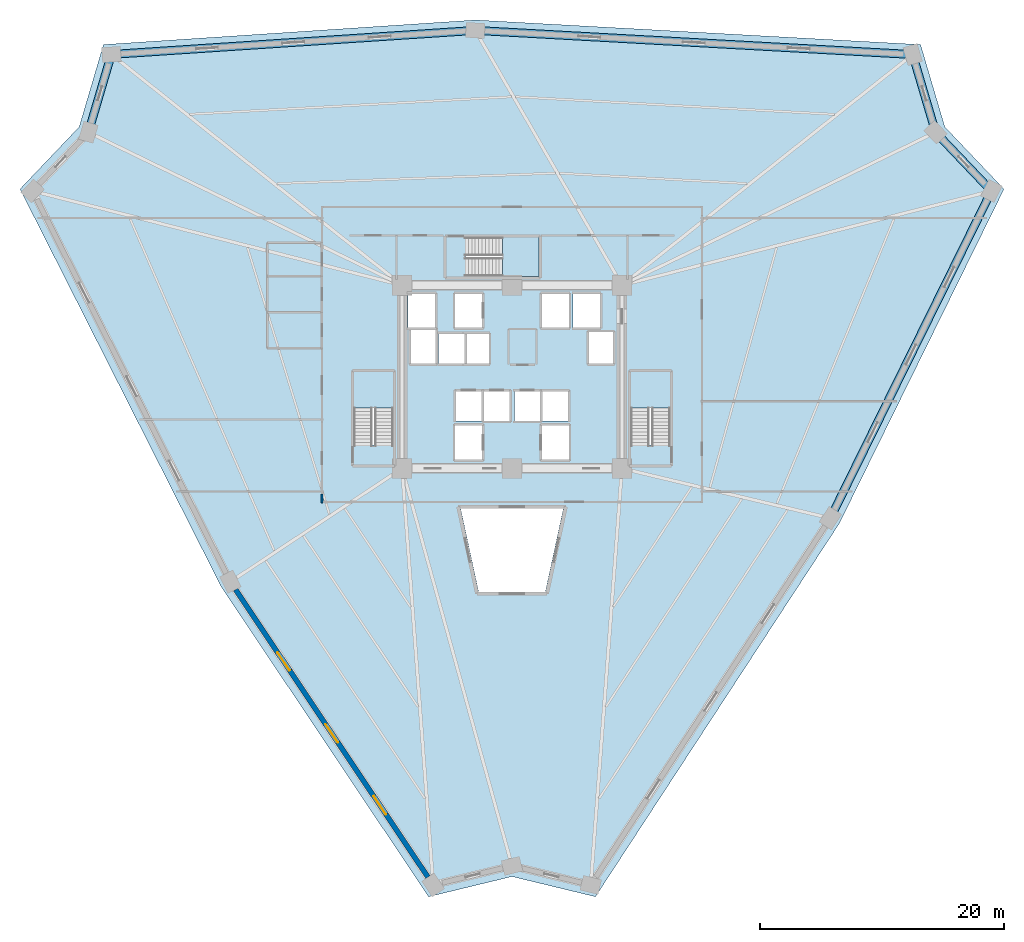
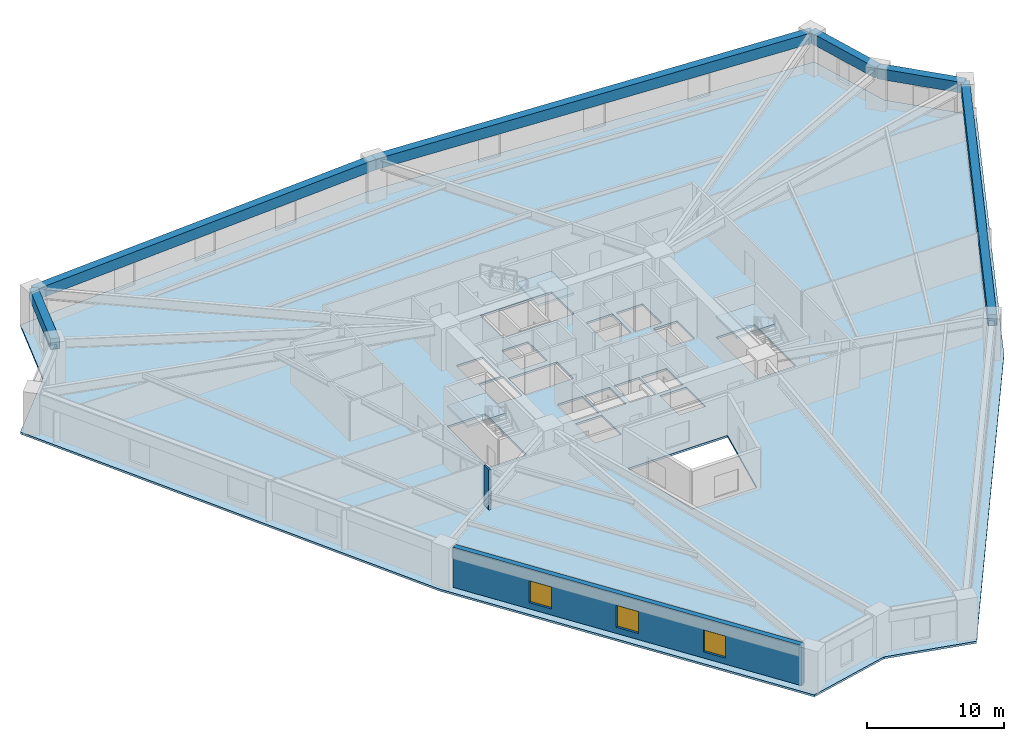
# One storey, part 2 of 8: 6 beams, 4 slabs, 3 windows, 2 walls, 3 openings, 3 elements without a shape of their own.
"""IFC4 building model written with IfcOpenShell, lengths in metres."""

from ifc_helpers import new_model, si_unit, direction, frame, frame_2d, origin, origin_2d, place, context, subcontext, project, spatial, polyline, rectangle, outline, extrude, source, transform, mapped, material, layer, layer_set, material_profile, profile_set, type_object, element, fill, aggregate, save


model = new_model("IFC4")

# Units and contexts
model_context = context("Model", 3, precision=1e-05, world=origin(), true_north=direction((0.0, 1.0)))
body_context = subcontext(model_context, "Body", "Model", "MODEL_VIEW")
ifc_project = project(units=[si_unit("LENGTHUNIT", "METRE"), si_unit("AREAUNIT", "SQUARE_METRE"), si_unit("VOLUMEUNIT", "CUBIC_METRE"), si_unit("PLANEANGLEUNIT", "RADIAN"), si_unit("MASSUNIT", "GRAM", prefix="KILO")], contexts=[model_context])

# Site, building, storey
site_placement = place(None, origin())
site = spatial("IfcSite", under=ifc_project, at=site_placement, CompositionType="ELEMENT")
building_placement = place(site_placement, origin())
building = spatial("IfcBuilding", under=site, at=building_placement, Name="Liaohun Quay Tower", CompositionType="ELEMENT")
storey_placement = place(building_placement, frame((0.0, 0.0, 32.25)))
storey = spatial("IfcBuildingStorey", under=building, at=storey_placement, Name="L08", CompositionType="ELEMENT", Elevation=32.25)

# Beams
ifc_material_1 = material(Name="Precast concrete C55", Category="concrete")
ifc_material_profile = material_profile(ifc_material_1, rectangle(XDim=0.64990234375, YDim=0.949951171875, at=origin_2d()), Name="RC650x950")
ifc_profile_set = profile_set([ifc_material_profile], Name="Precast concrete C55")
beam_type = type_object("IfcBeamType", Name="BM-SPD-Z1", PredefinedType="SPANDREL", material=ifc_profile_set)
shared_shape_1 = source(origin(), body_context, "Body", "SweptSolid", [
    extrude(rectangle(XDim=0.64990234375, YDim=0.949951171875, at=origin_2d()), origin(), (0.0, 0.0, 1.0), 6.64013671875),
])
beam_1_placement = place(storey_placement, frame((25.321044921875, 74.02197265625, 3.094970703125), z_axis=(0.282811203654, 0.959175595544, 0.0), x_axis=(-0.959175595544, 0.282811203654, 0.0)))
element("IfcBeam", 1, at=beam_1_placement, inside=storey, type_object=beam_type, Name="L08 Precast Spandrel Beam PC04-PC05", PredefinedType="SPANDREL", context=body_context, shape_type="MappedRepresentation", body=[
    mapped(shared_shape_1, transform((0.0, 0.0, 0.0), x_axis=(1.0, 0.0, 0.0), y_axis=(0.0, 1.0, 0.0), z_axis=(0.0, 0.0, 1.0), scale=1.0)),
])
shared_shape_2 = source(origin(), body_context, "Body", "SweptSolid", [
    extrude(rectangle(XDim=0.64990234375, YDim=0.949951171875, at=origin_2d()), origin(), (0.0, 0.0, 1.0), 29.861083984375),
])
beam_2_placement = place(storey_placement, frame((27.198974609375, 80.39111328125, 3.094970703125), z_axis=(0.997823697667, 0.065938367993, 0.0), x_axis=(-0.065938367993, 0.997823697667, 0.0)))
element("IfcBeam", 2, at=beam_2_placement, inside=storey, type_object=beam_type, Name="L08 Precast Spandrel Beam PC05-PC06", PredefinedType="SPANDREL", context=body_context, shape_type="MappedRepresentation", body=[
    mapped(shared_shape_2, transform((0.0, 0.0, 0.0), x_axis=(1.0, 0.0, 0.0), y_axis=(0.0, 1.0, 0.0), z_axis=(0.0, 0.0, 1.0), scale=1.0)),
])
shared_shape_3 = source(origin(), body_context, "Body", "SweptSolid", [
    extrude(rectangle(XDim=0.64990234375, YDim=0.949951171875, at=origin_2d()), origin(), (0.0, 0.0, 1.0), 35.8623046875),
])
beam_3_placement = place(storey_placement, frame((56.9951171875, 82.360107421875, 3.094970703125), z_axis=(0.998480750291, -0.055101645152, 0.0), x_axis=(0.055101645152, 0.998480750291, 0.0)))
element("IfcBeam", 3, at=beam_3_placement, inside=storey, type_object=beam_type, Name="L08 Precast Spandrel Beam PC06-PC07", PredefinedType="SPANDREL", context=body_context, shape_type="MappedRepresentation", body=[
    mapped(shared_shape_3, transform((0.0, 0.0, 0.0), x_axis=(1.0, 0.0, 0.0), y_axis=(0.0, 1.0, 0.0), z_axis=(0.0, 0.0, 1.0), scale=1.0)),
])
shared_shape_4 = source(origin(), body_context, "Body", "SweptSolid", [
    extrude(rectangle(XDim=0.64990234375, YDim=0.949951171875, at=origin_2d()), origin(), (0.0, 0.0, 1.0), 6.6328125),
])
beam_4_placement = place(storey_placement, frame((92.802978515625, 80.384033203125, 3.094970703125), z_axis=(0.282829848873, -0.959170097838, 0.0), x_axis=(0.959170097838, 0.282829848873, 0.0)))
element("IfcBeam", 4, at=beam_4_placement, inside=storey, type_object=beam_type, Name="L08 Precast Spandrel Beam PC07-PC08", PredefinedType="SPANDREL", context=body_context, shape_type="MappedRepresentation", body=[
    mapped(shared_shape_4, transform((0.0, 0.0, 0.0), x_axis=(1.0, 0.0, 0.0), y_axis=(0.0, 1.0, 0.0), z_axis=(0.0, 0.0, 1.0), scale=1.0)),
])
shared_shape_5 = source(origin(), body_context, "Body", "SweptSolid", [
    extrude(rectangle(XDim=0.64990234375, YDim=0.949951171875, at=origin_2d()), origin(), (0.0, 0.0, 1.0), 6.639892578125),
])
beam_5_placement = place(storey_placement, frame((94.678955078125, 74.02197265625, 3.094970703125), z_axis=(0.689350289248, -0.724428173606, 0.0), x_axis=(0.724428173606, 0.689350289248, 0.0)))
element("IfcBeam", 5, at=beam_5_placement, inside=storey, type_object=beam_type, Name="L08 Precast Spandrel Beam PC08-PC09", PredefinedType="SPANDREL", context=body_context, shape_type="MappedRepresentation", body=[
    mapped(shared_shape_5, transform((0.0, 0.0, 0.0), x_axis=(1.0, 0.0, 0.0), y_axis=(0.0, 1.0, 0.0), z_axis=(0.0, 0.0, 1.0), scale=1.0)),
])
shared_shape_6 = source(origin(), body_context, "Body", "SweptSolid", [
    extrude(rectangle(XDim=0.64990234375, YDim=0.949951171875, at=origin_2d()), origin(), (0.0, 0.0, 1.0), 29.86083984375),
])
beam_6_placement = place(storey_placement, frame((99.256103515625, 69.2119140625, 3.094970703125), z_axis=(-0.441786381035, -0.897120278186, 0.0), x_axis=(0.897120278186, -0.441786381035, 0.0)))
element("IfcBeam", 6, at=beam_6_placement, inside=storey, type_object=beam_type, Name="L08 Precast Spandrel Beam PC09-PC10", PredefinedType="SPANDREL", context=body_context, shape_type="MappedRepresentation", body=[
    mapped(shared_shape_6, transform((0.0, 0.0, 0.0), x_axis=(1.0, 0.0, 0.0), y_axis=(0.0, 1.0, 0.0), z_axis=(0.0, 0.0, 1.0), scale=1.0)),
])

# Stair, slab
ifc_material_2 = material(Name="Concrete C45", Category="concrete")
stair_type = type_object("IfcStairType", Name="STR-CORE-OFF", PredefinedType="HALF_TURN_STAIR", material=ifc_material_2)
stair_1_placement = place(storey_placement, origin())
stair_1 = element("IfcStair", 7, at=stair_1_placement, inside=storey, type_object=stair_type, Name="L08 Smokeproof Core Exit Stair ST-1", PredefinedType="HALF_TURN_STAIR")
ifc_layer_1 = layer(ifc_material_2, 0.199951171875, Name="Concrete C45", Category="concrete")
ifc_layer_set_1 = layer_set([ifc_layer_1], Name="Concrete C45")
slab_type_1 = type_object("IfcSlabType", Name="SLB-LND-200", PredefinedType="LANDING", material=ifc_layer_set_1)
slab_1_placement = place(storey_placement, frame((0.0, 0.0, 1.675048828125)))
slab_1 = element("IfcSlab", 8, at=slab_1_placement, type_object=slab_type_1, Name="ST-1 landing 1", PredefinedType="LANDING", context=body_context, shape_type="SweptSolid", body=[
    extrude(outline(polyline([(50.280029296875, 51.429931640625), (50.280029296875, 54.419921875), (47.0400390625, 54.419921875), (47.0400390625, 51.429931640625), (50.280029296875, 51.429931640625)])), origin(), (0.0, 0.0, 1.0), 0.199951171875),
])
aggregate(stair_1, [slab_1])

stair_2_placement = place(storey_placement, origin())
stair_2 = element("IfcStair", 9, at=stair_2_placement, inside=storey, type_object=stair_type, Name="L08 Smokeproof Core Exit Stair ST-2", PredefinedType="HALF_TURN_STAIR")
slab_2_placement = place(storey_placement, frame((0.0, 0.0, 1.675048828125)))
slab_2 = element("IfcSlab", 10, at=slab_2_placement, type_object=slab_type_1, Name="ST-2 landing 1", PredefinedType="LANDING", context=body_context, shape_type="SweptSolid", body=[
    extrude(outline(polyline([(72.9599609375, 51.429931640625), (72.9599609375, 54.419921875), (69.719970703125, 54.419921875), (69.719970703125, 51.429931640625), (72.9599609375, 51.429931640625)])), origin(), (0.0, 0.0, 1.0), 0.199951171875),
])
aggregate(stair_2, [slab_2])

stair_3_placement = place(storey_placement, origin())
stair_3 = element("IfcStair", 11, at=stair_3_placement, inside=storey, type_object=stair_type, Name="L08 Smokeproof Core Exit Stair ST-3", PredefinedType="HALF_TURN_STAIR")
slab_3_placement = place(storey_placement, frame((0.0, 0.0, 1.675048828125)))
slab_3 = element("IfcSlab", 12, at=slab_3_placement, type_object=slab_type_1, Name="ST-3 landing 1", PredefinedType="LANDING", context=body_context, shape_type="SweptSolid", body=[
    extrude(outline(polyline([(59.22998046875, 62.199951171875), (62.219970703125, 62.199951171875), (62.219970703125, 65.43994140625), (59.22998046875, 65.43994140625), (59.22998046875, 62.199951171875)])), origin(), (0.0, 0.0, 1.0), 0.199951171875),
])
aggregate(stair_3, [slab_3])

# Slab
ifc_layer_2 = layer(ifc_material_2, 0.179931640625, Name="Concrete C45", Category="concrete")
ifc_layer_set_2 = layer_set([ifc_layer_2], Name="Concrete C45")
slab_type_2 = type_object("IfcSlabType", Name="SLB-OFF-180", PredefinedType="FLOOR", material=ifc_layer_set_2)
slab_4_placement = place(storey_placement, frame((0.0, 0.0, -0.179931640625)))
element("IfcSlab", 13, at=slab_4_placement, inside=storey, type_object=slab_type_2, Name="L08 Structural Floor Slab", PredefinedType="FLOOR", context=body_context, shape_type="SweptSolid", body=[
    extrude(outline(polyline([(53.1689453125, 11.431884765625), (60.0, 13.08203125), (66.8310546875, 11.431884765625), (86.803955078125, 42.0009765625), (100.281005859375, 69.367919921875), (95.43603515625, 74.458984375), (93.448974609375, 81.199951171875), (56.989990234375, 83.2119140625), (26.551025390625, 81.199951171875), (24.56396484375, 74.458984375), (19.718994140625, 69.367919921875), (36.2060546875, 36.787109375), (53.1689453125, 11.431884765625)]), holes=[polyline([(57.56005859375, 47.2099609375), (57.56005859375, 50.030029296875), (55.340087890625, 50.030029296875), (55.340087890625, 47.2099609375), (57.56005859375, 47.2099609375)]), polyline([(50.280029296875, 54.419921875), (47.0400390625, 54.419921875), (47.0400390625, 48.409912109375), (50.280029296875, 48.409912109375), (50.280029296875, 54.419921875)]), polyline([(57.510009765625, 50.389892578125), (57.510009765625, 52.81005859375), (55.389892578125, 52.81005859375), (55.389892578125, 50.389892578125), (57.510009765625, 50.389892578125)]), polyline([(59.81005859375, 50.389892578125), (59.81005859375, 52.81005859375), (57.68994140625, 52.81005859375), (57.68994140625, 50.389892578125), (59.81005859375, 50.389892578125)]), polyline([(58.110107421875, 57.510009765625), (53.989990234375, 57.510009765625), (53.989990234375, 55.090087890625), (58.110107421875, 55.090087890625), (58.110107421875, 57.510009765625)]), polyline([(53.760009765625, 55.090087890625), (53.760009765625, 57.909912109375), (51.7099609375, 57.909912109375), (51.7099609375, 55.090087890625), (53.760009765625, 55.090087890625)]), polyline([(51.489990234375, 58.0400390625), (53.7099609375, 58.0400390625), (53.7099609375, 60.7900390625), (51.489990234375, 60.7900390625), (51.489990234375, 58.0400390625)]), polyline([(55.340087890625, 58.0400390625), (57.56005859375, 58.0400390625), (57.56005859375, 60.7900390625), (55.340087890625, 60.7900390625), (55.340087890625, 58.0400390625)]), polyline([(62.72998046875, 36.39990234375), (64.199951171875, 43.199951171875), (55.800048828125, 43.199951171875), (57.27001953125, 36.39990234375), (62.72998046875, 36.39990234375)]), polyline([(64.659912109375, 47.2099609375), (64.659912109375, 50.030029296875), (62.43994140625, 50.030029296875), (62.43994140625, 47.2099609375), (64.659912109375, 47.2099609375)]), polyline([(72.9599609375, 54.419921875), (69.719970703125, 54.419921875), (69.719970703125, 48.409912109375), (72.9599609375, 48.409912109375), (72.9599609375, 54.419921875)]), polyline([(62.31005859375, 50.389892578125), (62.31005859375, 52.81005859375), (60.18994140625, 52.81005859375), (60.18994140625, 50.389892578125), (62.31005859375, 50.389892578125)]), polyline([(64.610107421875, 50.389892578125), (64.610107421875, 52.81005859375), (62.489990234375, 52.81005859375), (62.489990234375, 50.389892578125), (64.610107421875, 50.389892578125)]), polyline([(68.2900390625, 55.090087890625), (68.2900390625, 57.659912109375), (66.2900390625, 57.659912109375), (66.2900390625, 55.090087890625), (68.2900390625, 55.090087890625)]), polyline([(64.659912109375, 58.0400390625), (64.659912109375, 60.7900390625), (62.43994140625, 60.7900390625), (62.43994140625, 58.0400390625), (64.659912109375, 58.0400390625)]), polyline([(64.989990234375, 58.0400390625), (67.2099609375, 58.0400390625), (67.2099609375, 60.7900390625), (64.989990234375, 60.7900390625), (64.989990234375, 58.0400390625)]), polyline([(56.2099609375, 62.199951171875), (62.219970703125, 62.199951171875), (62.219970703125, 65.43994140625), (56.2099609375, 65.43994140625), (56.2099609375, 62.199951171875)])]), origin(), (0.0, 0.0, 1.0), 0.179931640625),
])

# Wall, openings, windows
ifc_material_3 = material(Name="Precast concrete C50 insulated sandwich", Category="concrete")
ifc_layer_3 = layer(ifc_material_3, 0.419921875, Name="Precast concrete C50 insulated sandwich", Category="concrete")
ifc_layer_set_3 = layer_set([ifc_layer_3], Name="Precast concrete C50 insulated sandwich")
wall_type_1 = type_object("IfcWallType", Name="WAL-EXT-Z12", PredefinedType="SOLIDWALL", material=ifc_layer_set_3)
wall_1_placement = place(storey_placement, frame((37.365966796875, 36.5810546875, 0.0), z_axis=(0.0, 0.0, 1.0), x_axis=(0.556077484232, -0.831130453979, 0.0)))
wall_1 = element("IfcWall", 14, at=wall_1_placement, inside=storey, type_object=wall_type_1, Name="L08 Brutalist Precast Pier Wall 11", PredefinedType="SOLIDWALL", context=body_context, shape_type="SweptSolid", body=[
    extrude(rectangle(XDim=28.33251953125, YDim=0.419921875, at=frame_2d((14.166259765625, 0.0))), origin(), (0.0, 0.0, 1.0), 3.570068359375),
])
shared_shape_7 = source(origin(), body_context, "Body", "SweptSolid", [
    extrude(rectangle(XDim=1.800048828125, YDim=1.949951171875, at=frame_2d((0.89990234375, 0.97509765625))), frame((0.0, 0.219970703125, 0.0), z_axis=(0.0, -1.0, 0.0), x_axis=(1.0, 0.0, 0.0)), (0.0, 0.0, 1.0), 0.43994140625),
])
opening_1_placement = place(wall_1_placement, frame((6.18310546875, 0.0, 0.550048828125)))
opening_1 = element("IfcOpeningElement", 15, at=opening_1_placement, cuts=wall_1, Name="Opening W01", PredefinedType="OPENING", context=body_context, shape_type="MappedRepresentation", body=[
    mapped(shared_shape_7, transform((0.0, 0.0, 0.0), x_axis=(1.0, 0.0, 0.0), y_axis=(0.0, 1.0, 0.0), z_axis=(0.0, 0.0, 1.0), scale=1.0)),
])
opening_2_placement = place(wall_1_placement, frame((13.26611328125, 0.0, 0.550048828125)))
opening_2 = element("IfcOpeningElement", 16, at=opening_2_placement, cuts=wall_1, Name="Opening W01", PredefinedType="OPENING", context=body_context, shape_type="MappedRepresentation", body=[
    mapped(shared_shape_7, transform((0.0, 0.0, 0.0), x_axis=(1.0, 0.0, 0.0), y_axis=(0.0, 1.0, 0.0), z_axis=(0.0, 0.0, 1.0), scale=1.0)),
])
opening_3_placement = place(wall_1_placement, frame((20.34912109375, 0.0, 0.550048828125)))
opening_3 = element("IfcOpeningElement", 17, at=opening_3_placement, cuts=wall_1, Name="Opening W01", PredefinedType="OPENING", context=body_context, shape_type="MappedRepresentation", body=[
    mapped(shared_shape_7, transform((0.0, 0.0, 0.0), x_axis=(1.0, 0.0, 0.0), y_axis=(0.0, 1.0, 0.0), z_axis=(0.0, 0.0, 1.0), scale=1.0)),
])
ifc_material_4 = material(Name="Triple Low-E argon glazing in thermally broken aluminium", Category="aluminium")
window_type = type_object("IfcWindowType", Name="WIN-PUN-Z1", PartitioningType="DOUBLE_PANEL_VERTICAL", PredefinedType="WINDOW", material=ifc_material_4)
shared_shape_8 = source(origin(), body_context, "Body", "SweptSolid", [
    extrude(rectangle(XDim=1.800048828125, YDim=1.949951171875, at=frame_2d((0.89990234375, 0.97509765625))), frame((0.0, 0.030029296875, 0.0), z_axis=(0.0, -1.0, 0.0), x_axis=(1.0, 0.0, 0.0)), (0.0, 0.0, 1.0), 0.06005859375),
])
window_1_placement = place(opening_1_placement, origin())
window_1 = element("IfcWindow", 18, at=window_1_placement, inside=storey, type_object=window_type, Name="L08 Recessed Cold-Climate Punched Window 11-1", OverallHeight=1.949951171875, OverallWidth=1.800048828125, PartitioningType="DOUBLE_PANEL_VERTICAL", PredefinedType="WINDOW", context=body_context, shape_type="MappedRepresentation", body=[
    mapped(shared_shape_8, transform((0.0, 0.0, 0.0), x_axis=(1.0, 0.0, 0.0), y_axis=(0.0, 1.0, 0.0), z_axis=(0.0, 0.0, 1.0), scale=1.0)),
])
fill(opening_1, window_1)
window_2_placement = place(opening_2_placement, origin())
window_2 = element("IfcWindow", 19, at=window_2_placement, inside=storey, type_object=window_type, Name="L08 Recessed Cold-Climate Punched Window 11-2", OverallHeight=1.949951171875, OverallWidth=1.800048828125, PartitioningType="DOUBLE_PANEL_VERTICAL", PredefinedType="WINDOW", context=body_context, shape_type="MappedRepresentation", body=[
    mapped(shared_shape_8, transform((0.0, 0.0, 0.0), x_axis=(1.0, 0.0, 0.0), y_axis=(0.0, 1.0, 0.0), z_axis=(0.0, 0.0, 1.0), scale=1.0)),
])
fill(opening_2, window_2)
window_3_placement = place(opening_3_placement, origin())
window_3 = element("IfcWindow", 20, at=window_3_placement, inside=storey, type_object=window_type, Name="L08 Recessed Cold-Climate Punched Window 11-3", OverallHeight=1.949951171875, OverallWidth=1.800048828125, PartitioningType="DOUBLE_PANEL_VERTICAL", PredefinedType="WINDOW", context=body_context, shape_type="MappedRepresentation", body=[
    mapped(shared_shape_8, transform((0.0, 0.0, 0.0), x_axis=(1.0, 0.0, 0.0), y_axis=(0.0, 1.0, 0.0), z_axis=(0.0, 0.0, 1.0), scale=1.0)),
])
fill(opening_3, window_3)

# Wall
ifc_material_5 = material(Name="Autoclaved aerated concrete blockwork", Category="masonry")
ifc_layer_4 = layer(ifc_material_5, 0.179931640625, Name="Autoclaved aerated concrete blockwork", Category="masonry")
ifc_layer_set_4 = layer_set([ifc_layer_4], Name="Autoclaved aerated concrete blockwork")
wall_type_2 = type_object("IfcWallType", Name="WAL-PRT-COR", PredefinedType="PARTITIONING", material=ifc_layer_set_4)
wall_2_placement = place(storey_placement, frame((44.43994140625, 43.669921875, 0.0), z_axis=(0.0, 0.0, 1.0), x_axis=(0.0, 1.0, 0.0)))
element("IfcWall", 21, at=wall_2_placement, inside=storey, type_object=wall_type_2, Name="L08 Interior Partition Wall 028", PredefinedType="PARTITIONING", context=body_context, shape_type="SweptSolid", body=[
    extrude(rectangle(XDim=0.715087890625, YDim=0.179931640625, at=frame_2d((0.357421875, 0.0))), origin(), (0.0, 0.0, 1.0), 3.570068359375),
])

save(model, "model.ifc")
